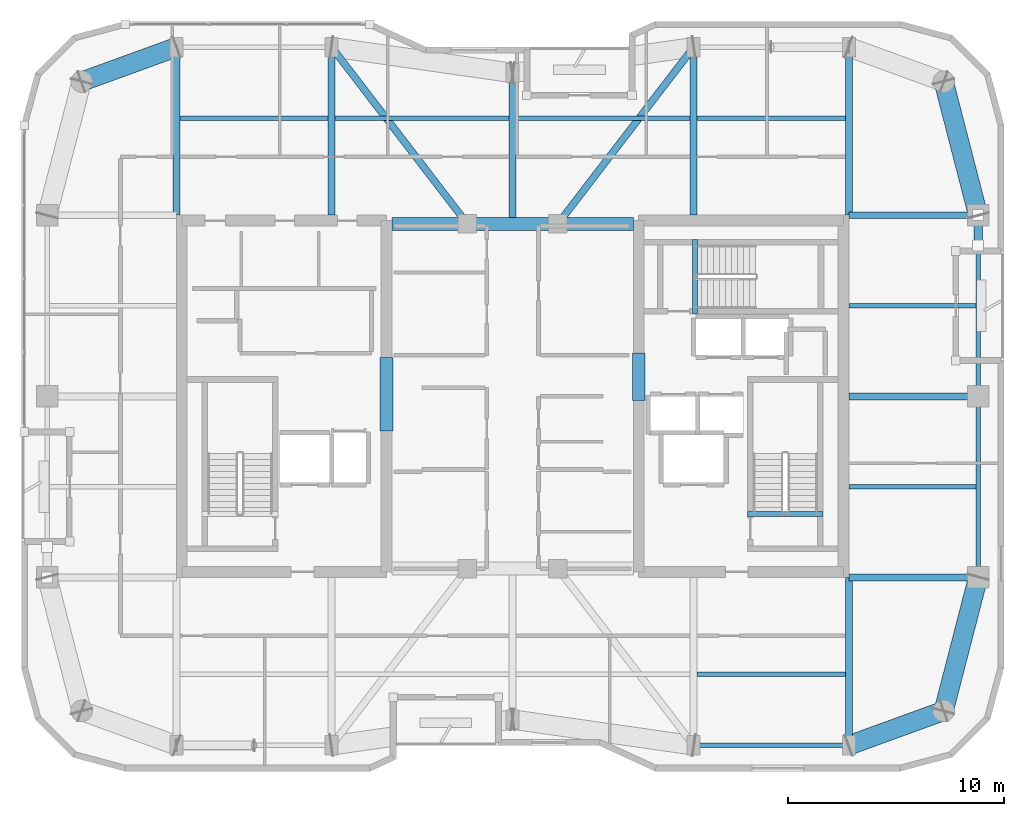
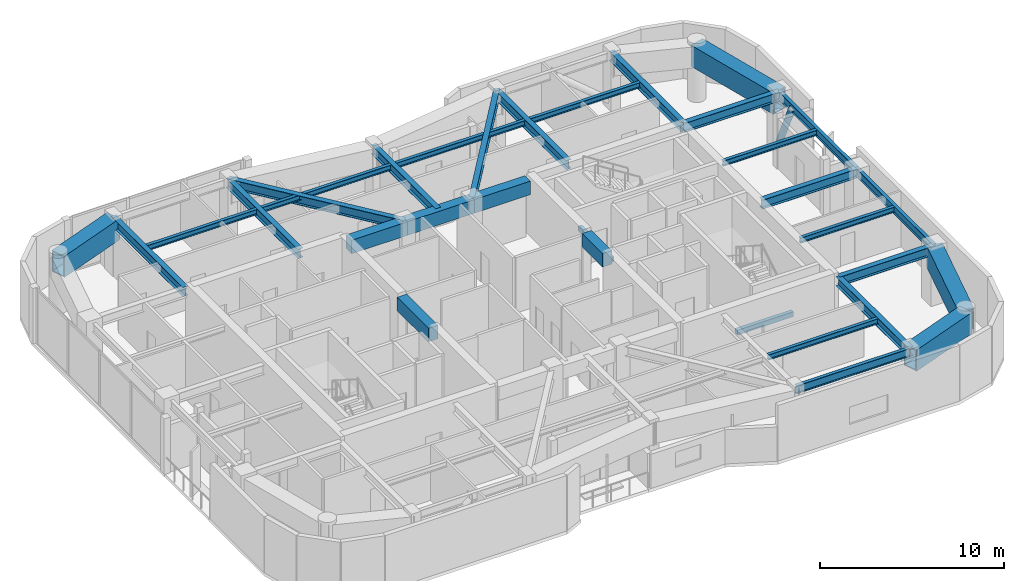
# One storey, part 5 of 15: 32 beams, 1 member.
"""IFC4 building model written with IfcOpenShell, lengths in metres."""

from ifc_helpers import new_model, si_unit, direction, frame, origin, origin_2d, place, context, subcontext, project, spatial, rectangle, hollow_rectangle, hollow_circle, i_section, extrude, material, material_profile, profile_set, type_object, element, save


model = new_model("IFC4")

# Units and contexts
model_context = context("Model", 3, precision=1e-05, world=origin(), true_north=direction((0.0, 1.0)))
body_context = subcontext(model_context, "Body", "Model", "MODEL_VIEW")
ifc_project = project(units=[si_unit("LENGTHUNIT", "METRE"), si_unit("AREAUNIT", "SQUARE_METRE"), si_unit("VOLUMEUNIT", "CUBIC_METRE"), si_unit("PLANEANGLEUNIT", "RADIAN"), si_unit("MASSUNIT", "GRAM", prefix="KILO")], contexts=[model_context])

# Site, building, storey
site_placement = place(None, origin())
site = spatial("IfcSite", under=ifc_project, at=site_placement, CompositionType="ELEMENT")
building_placement = place(site_placement, origin())
building = spatial("IfcBuilding", under=site, at=building_placement, Name="Kiyonajd Concourse Tower", CompositionType="ELEMENT")
storey_placement = place(building_placement, frame((0.0, 0.0, 266.699951171875)))
storey = spatial("IfcBuildingStorey", under=building, at=storey_placement, Name="L67", CompositionType="ELEMENT", Elevation=266.699951171875)

# Beams
ifc_material_1 = material(Name="Concrete C60/75", Category="concrete")
ifc_material_profile_1 = material_profile(ifc_material_1, rectangle(XDim=0.60009765625, YDim=0.89990234375, at=origin_2d()), Name="RCBM-600x900")
ifc_profile_set_1 = profile_set([ifc_material_profile_1], Name="Concrete C60/75")
beam_type_1 = type_object("IfcBeamType", Name="BM-COUP-900", PredefinedType="LINTEL", material=ifc_profile_set_1)
beam_1_placement = place(storey_placement, frame((42.39990234375, 44.0, 3.22998046875), z_axis=(1.0, 0.0, 0.0), x_axis=(0.0, 1.0, 0.0)))
element("IfcBeam", 1, at=beam_1_placement, inside=storey, type_object=beam_type_1, Name="L67 Core Coupling Beam N1", PredefinedType="LINTEL", context=body_context, shape_type="SweptSolid", body=[
    extrude(rectangle(XDim=0.60009765625, YDim=0.89990234375, at=origin_2d()), origin(), (0.0, 0.0, 1.0), 3.5),
])
beam_2_placement = place(storey_placement, frame((45.89990234375, 44.0, 3.22998046875), z_axis=(1.0, 0.0, 0.0), x_axis=(0.0, 1.0, 0.0)))
element("IfcBeam", 2, at=beam_2_placement, inside=storey, type_object=beam_type_1, Name="L67 Core Coupling Beam N2", PredefinedType="LINTEL", context=body_context, shape_type="SweptSolid", body=[
    extrude(rectangle(XDim=0.60009765625, YDim=0.89990234375, at=origin_2d()), origin(), (0.0, 0.0, 1.0), 4.2001953125),
])
beam_3_placement = place(storey_placement, frame((50.10009765625, 44.0, 3.22998046875), z_axis=(1.0, 0.0, 0.0), x_axis=(0.0, 1.0, 0.0)))
element("IfcBeam", 3, at=beam_3_placement, inside=storey, type_object=beam_type_1, Name="L67 Core Coupling Beam N3", PredefinedType="LINTEL", context=body_context, shape_type="SweptSolid", body=[
    extrude(rectangle(XDim=0.60009765625, YDim=0.89990234375, at=origin_2d()), origin(), (0.0, 0.0, 1.0), 3.5),
])
beam_4_placement = place(storey_placement, frame((42.14990234375, 34.39990234375, 3.22998046875), z_axis=(0.0, 1.0, 0.0), x_axis=(-1.0, 0.0, 0.0)))
element("IfcBeam", 4, at=beam_4_placement, inside=storey, type_object=beam_type_1, Name="L67 West Core Throat Coupling Lintel", PredefinedType="LINTEL", context=body_context, shape_type="SweptSolid", body=[
    extrude(rectangle(XDim=0.60009765625, YDim=0.89990234375, at=origin_2d()), origin(), (0.0, 0.0, 1.0), 3.400146484375),
])
beam_5_placement = place(storey_placement, frame((53.85009765625, 35.800048828125, 3.22998046875), z_axis=(0.0, 1.0, 0.0), x_axis=(-1.0, 0.0, 0.0)))
element("IfcBeam", 5, at=beam_5_placement, inside=storey, type_object=beam_type_1, Name="L67 East Core Throat Coupling Lintel", PredefinedType="LINTEL", context=body_context, shape_type="SweptSolid", body=[
    extrude(rectangle(XDim=0.60009765625, YDim=0.89990234375, at=origin_2d()), origin(), (0.0, 0.0, 1.0), 2.199951171875),
])
ifc_material_2 = material(Name="Steel ASTM A992 Grade 50", Category="steel")
ifc_material_profile_2 = material_profile(ifc_material_2, i_section(OverallWidth=0.205078125, OverallDepth=0.35400390625, WebThickness=0.009521484375, FlangeThickness=0.016845703125, at=origin_2d()), Name="W360X79")
ifc_profile_set_2 = profile_set([ifc_material_profile_2], Name="Steel ASTM A992 Grade 50")
beam_type_2 = type_object("IfcBeamType", Name="BM-JST-360", PredefinedType="JOIST", material=ifc_profile_set_2)
for number, where, z_axis, x_axis, name in (
    (6, (56.56201171875, 23.10009765625, 3.5029296875), (1.0, 0.0, 0.0), (0.0, 1.0, 0.0), "L67 Secondary Floor Joist"),
    (7, (32.56201171875, 48.89990234375, 3.5029296875), (1.0, 0.0, 0.0), (0.0, 1.0, 0.0), "L67 Secondary Floor Joist"),
):
    element("IfcBeam", number, at=place(storey_placement, frame(where, z_axis=z_axis, x_axis=x_axis)), inside=storey, type_object=beam_type_2, Name=name, PredefinedType="JOIST", context=body_context, shape_type="SweptSolid", body=[
        extrude(i_section(OverallWidth=0.205078125, OverallDepth=0.35400390625, WebThickness=0.009521484375, FlangeThickness=0.016845703125, at=origin_2d()), origin(), (0.0, 0.0, 1.0), 6.8759765625),
    ])
for number, where, z_axis, x_axis, name in (
    (8, (39.761962890625, 48.89990234375, 3.5029296875), (1.0, 0.0, 0.0), (0.0, 1.0, 0.0), "L67 Secondary Floor Joist"),
    (9, (48.162109375, 48.89990234375, 3.5029296875), (1.0, 0.0, 0.0), (0.0, 1.0, 0.0), "L67 Secondary Floor Joist"),
):
    element("IfcBeam", number, at=place(storey_placement, frame(where, z_axis=z_axis, x_axis=x_axis)), inside=storey, type_object=beam_type_2, Name=name, PredefinedType="JOIST", context=body_context, shape_type="SweptSolid", body=[
        extrude(i_section(OverallWidth=0.205078125, OverallDepth=0.35400390625, WebThickness=0.009521484375, FlangeThickness=0.016845703125, at=origin_2d()), origin(), (0.0, 0.0, 1.0), 8.075927734375),
    ])
beam_6_placement = place(storey_placement, frame((56.56201171875, 48.89990234375, 3.5029296875), z_axis=(1.0, 0.0, 0.0), x_axis=(0.0, 1.0, 0.0)))
element("IfcBeam", 10, at=beam_6_placement, inside=storey, type_object=beam_type_2, Name="L67 Secondary Floor Joist", PredefinedType="JOIST", context=body_context, shape_type="SweptSolid", body=[
    extrude(i_section(OverallWidth=0.205078125, OverallDepth=0.35400390625, WebThickness=0.009521484375, FlangeThickness=0.016845703125, at=origin_2d()), origin(), (0.0, 0.0, 1.0), 6.8759765625),
])
for number, where, z_axis, x_axis, name in (
    (11, (63.60009765625, 31.800048828125, 3.5029296875), (1.0, 0.0, 0.0), (0.0, 1.0, 0.0), "L67 East Secondary Floor Joist"),
    (12, (63.60009765625, 40.199951171875, 3.5029296875), (1.0, 0.0, 0.0), (0.0, 1.0, 0.0), "L67 East Secondary Floor Joist"),
):
    element("IfcBeam", number, at=place(storey_placement, frame(where, z_axis=z_axis, x_axis=x_axis)), inside=storey, type_object=beam_type_2, Name=name, PredefinedType="JOIST", context=body_context, shape_type="SweptSolid", body=[
        extrude(i_section(OverallWidth=0.205078125, OverallDepth=0.35400390625, WebThickness=0.009521484375, FlangeThickness=0.016845703125, at=origin_2d()), origin(), (0.0, 0.0, 1.0), 5.894287109375),
    ])
ifc_material_3 = material(Name="Concrete C50/60", Category="concrete")
ifc_material_profile_3 = material_profile(ifc_material_3, rectangle(XDim=0.239990234375, YDim=0.320068359375, at=origin_2d()), Name="RCBM-240x320")
ifc_profile_set_3 = profile_set([ifc_material_profile_3], Name="Concrete C50/60")
beam_type_3 = type_object("IfcBeamType", Name="BM-LNT-250", PredefinedType="LINTEL", material=ifc_profile_set_3)
beam_7_placement = place(storey_placement, frame((58.889892578125, 30.530029296875, -0.159912109375), z_axis=(1.0, 0.0, 0.0), x_axis=(0.0, 1.0, 0.0)))
element("IfcBeam", 13, at=beam_7_placement, inside=storey, type_object=beam_type_3, Name="L67 Stair ST2 Threshold Support Beam", PredefinedType="LINTEL", context=body_context, shape_type="SweptSolid", body=[
    extrude(rectangle(XDim=0.239990234375, YDim=0.320068359375, at=origin_2d()), origin(), (0.0, 0.0, 1.0), 3.52001953125),
])
beam_8_placement = place(storey_placement, frame((56.4599609375, 39.820068359375, -0.159912109375), z_axis=(0.0, 1.0, 0.0), x_axis=(-1.0, 0.0, 0.0)))
element("IfcBeam", 14, at=beam_8_placement, inside=storey, type_object=beam_type_3, Name="L67 Stair ST3 Threshold Support Beam", PredefinedType="LINTEL", context=body_context, shape_type="SweptSolid", body=[
    extrude(rectangle(XDim=0.239990234375, YDim=0.320068359375, at=origin_2d()), origin(), (0.0, 0.0, 1.0), 3.4599609375),
])
ifc_material_profile_4 = material_profile(ifc_material_2, i_section(OverallWidth=0.2109375, OverallDepth=0.5390625, WebThickness=0.01171875, FlangeThickness=0.018798828125, at=origin_2d()), Name="W530X109")
ifc_profile_set_4 = profile_set([ifc_material_profile_4], Name="Steel ASTM A992 Grade 50")
beam_type_4 = type_object("IfcBeamType", Name="BM-SPAN-530B", PredefinedType="SPANDREL", material=ifc_profile_set_4)
beam_9_placement = place(storey_placement, frame((56.39990234375, 19.800048828125, 3.41064453125), z_axis=(1.0, 0.0, 0.0), x_axis=(0.0, 1.0, 0.0)))
element("IfcBeam", 15, at=beam_9_placement, inside=storey, type_object=beam_type_4, Name="L67 Perimeter Bundled Tube Spandrel", PredefinedType="SPANDREL", context=body_context, shape_type="SweptSolid", body=[
    extrude(i_section(OverallWidth=0.2109375, OverallDepth=0.5390625, WebThickness=0.01171875, FlangeThickness=0.018798828125, at=origin_2d()), origin(), (0.0, 0.0, 1.0), 7.2001953125),
])
for number, where, z_axis, x_axis, name in (
    (16, (69.60009765625, 27.60009765625, 3.41064453125), (0.0, 1.0, 0.0), (-1.0, 0.0, 0.0), "L67 Perimeter Bundled Tube Spandrel"),
    (17, (69.60009765625, 36.0, 3.41064453125), (0.0, 1.0, 0.0), (-1.0, 0.0, 0.0), "L67 Perimeter Bundled Tube Spandrel"),
):
    element("IfcBeam", number, at=place(storey_placement, frame(where, z_axis=z_axis, x_axis=x_axis)), inside=storey, type_object=beam_type_4, Name=name, PredefinedType="SPANDREL", context=body_context, shape_type="SweptSolid", body=[
        extrude(i_section(OverallWidth=0.2109375, OverallDepth=0.5390625, WebThickness=0.01171875, FlangeThickness=0.018798828125, at=origin_2d()), origin(), (0.0, 0.0, 1.0), 8.39990234375),
    ])
ifc_material_profile_5 = material_profile(ifc_material_2, i_section(OverallWidth=0.326904296875, OverallDepth=0.6220703125, WebThickness=0.015380859375, FlangeThickness=0.0244140625, at=origin_2d()), Name="W610X195")
ifc_profile_set_5 = profile_set([ifc_material_profile_5], Name="Steel ASTM A992 Grade 50")
beam_type_5 = type_object("IfcBeamType", Name="BM-TWR-610A", PredefinedType="BEAM", material=ifc_profile_set_5)
for number, where, z_axis, x_axis, name in (
    (18, (39.60009765625, 52.199951171875, 3.369140625), (0.609233709922, -0.792990722956, 0.0), (0.792990722956, 0.609233709922, 0.0), "L67 Core Tie Girder"),
    (19, (50.10009765625, 44.0, 3.369140625), (0.609233709922, 0.792990722956, 0.0), (-0.792990722956, 0.609233709922, 0.0), "L67 Core Tie Girder"),
):
    element("IfcBeam", number, at=place(storey_placement, frame(where, z_axis=z_axis, x_axis=x_axis)), inside=storey, type_object=beam_type_5, Name=name, PredefinedType="BEAM", context=body_context, shape_type="SweptSolid", body=[
        extrude(i_section(OverallWidth=0.326904296875, OverallDepth=0.6220703125, WebThickness=0.015380859375, FlangeThickness=0.0244140625, at=origin_2d()), origin(), (0.0, 0.0, 1.0), 10.340576171875),
    ])
ifc_material_profile_6 = material_profile(ifc_material_2, i_section(OverallWidth=0.323974609375, OverallDepth=0.611083984375, WebThickness=0.0126953125, FlangeThickness=0.01904296875, at=origin_2d()), Name="W610X155")
ifc_profile_set_6 = profile_set([ifc_material_profile_6], Name="Steel ASTM A992 Grade 50")
beam_type_6 = type_object("IfcBeamType", Name="BM-TWR-610B", PredefinedType="BEAM", material=ifc_profile_set_6)
for number, where, z_axis, x_axis, name in (
    (20, (32.39990234375, 44.39990234375, 3.37451171875), (0.0, 1.0, 0.0), (-1.0, 0.0, 0.0), "L67 North Lease Girder"),
    (21, (39.60009765625, 44.39990234375, 3.37451171875), (0.0, 1.0, 0.0), (-1.0, 0.0, 0.0), "L67 North Lease Girder"),
    (22, (56.39990234375, 44.39990234375, 3.37451171875), (0.0, 1.0, 0.0), (-1.0, 0.0, 0.0), "L67 North Lease Girder"),
    (23, (63.60009765625, 19.800048828125, 3.37451171875), (0.0, 1.0, 0.0), (-1.0, 0.0, 0.0), "L67 South Lease Girder"),
    (24, (63.60009765625, 44.39990234375, 3.37451171875), (0.0, 1.0, 0.0), (-1.0, 0.0, 0.0), "L67 North Lease Girder"),
):
    element("IfcBeam", number, at=place(storey_placement, frame(where, z_axis=z_axis, x_axis=x_axis)), inside=storey, type_object=beam_type_6, Name=name, PredefinedType="BEAM", context=body_context, shape_type="SweptSolid", body=[
        extrude(i_section(OverallWidth=0.323974609375, OverallDepth=0.611083984375, WebThickness=0.0126953125, FlangeThickness=0.01904296875, at=origin_2d()), origin(), (0.0, 0.0, 1.0), 7.800048828125),
    ])
beam_10_placement = place(storey_placement, frame((48.0, 44.0, 3.37451171875), z_axis=(0.0, 1.0, 0.0), x_axis=(-1.0, 0.0, 0.0)))
element("IfcBeam", 25, at=beam_10_placement, inside=storey, type_object=beam_type_6, Name="L67 North Ribbon Girder", PredefinedType="BEAM", context=body_context, shape_type="SweptSolid", body=[
    extrude(i_section(OverallWidth=0.323974609375, OverallDepth=0.611083984375, WebThickness=0.0126953125, FlangeThickness=0.01904296875, at=origin_2d()), origin(), (0.0, 0.0, 1.0), 7.0),
])
for number, where, z_axis, x_axis, name in (
    (26, (63.60009765625, 27.60009765625, 3.37451171875), (1.0, 0.0, 0.0), (0.0, 1.0, 0.0), "L67 East Lease Girder"),
    (27, (63.60009765625, 36.0, 3.37451171875), (1.0, 0.0, 0.0), (0.0, 1.0, 0.0), "L67 East Lease Girder"),
    (28, (63.60009765625, 44.39990234375, 3.37451171875), (1.0, 0.0, 0.0), (0.0, 1.0, 0.0), "L67 East Lease Girder"),
):
    element("IfcBeam", number, at=place(storey_placement, frame(where, z_axis=z_axis, x_axis=x_axis)), inside=storey, type_object=beam_type_6, Name=name, PredefinedType="BEAM", context=body_context, shape_type="SweptSolid", body=[
        extrude(i_section(OverallWidth=0.323974609375, OverallDepth=0.611083984375, WebThickness=0.0126953125, FlangeThickness=0.01904296875, at=origin_2d()), origin(), (0.0, 0.0, 1.0), 6.0),
    ])
ifc_material_4 = material(Name="Steel ASTM A572 Grade 50", Category="steel")
ifc_material_profile_7 = material_profile(ifc_material_4, hollow_rectangle(XDim=0.89990234375, YDim=1.39990234375, WallThickness=0.070068359375, at=origin_2d()), Name="BOX-1400x900x70")
ifc_profile_set_7 = profile_set([ifc_material_profile_7], Name="Steel ASTM A572 Grade 50")
beam_type_7 = type_object("IfcBeamType", Name="BM-XFER-1400", PredefinedType="BEAM", material=ifc_profile_set_7)
beam_11_placement = place(storey_placement, frame((63.60009765625, 19.800048828125, 2.97998046875), z_axis=(0.939801036019, 0.341722127901, 0.0), x_axis=(-0.341722127901, 0.939801036019, 0.0)))
element("IfcBeam", 29, at=beam_11_placement, inside=storey, type_object=beam_type_7, Name="L67 Perimeter Bundled Tube Spandrel", PredefinedType="BEAM", context=body_context, shape_type="SweptSolid", body=[
    extrude(hollow_rectangle(XDim=0.89990234375, YDim=1.39990234375, WallThickness=0.070068359375, at=origin_2d()), origin(), (0.0, 0.0, 1.0), 4.681640625),
])
for number, where, z_axis, x_axis, name in (
    (30, (68.0, 21.39990234375, 2.97998046875), (0.249884937687, 0.968275538221, 0.0), (-0.968275538221, 0.249884937687, 0.0), "L67 Perimeter Bundled Tube Spandrel"),
    (31, (69.60009765625, 44.39990234375, 2.97998046875), (-0.249884937687, 0.968275538221, 0.0), (-0.968275538221, -0.249884937687, 0.0), "L67 Perimeter Bundled Tube Spandrel"),
):
    element("IfcBeam", number, at=place(storey_placement, frame(where, z_axis=z_axis, x_axis=x_axis)), inside=storey, type_object=beam_type_7, Name=name, PredefinedType="BEAM", context=body_context, shape_type="SweptSolid", body=[
        extrude(hollow_rectangle(XDim=0.89990234375, YDim=1.39990234375, WallThickness=0.070068359375, at=origin_2d()), origin(), (0.0, 0.0, 1.0), 6.4033203125),
    ])
beam_12_placement = place(storey_placement, frame((32.39990234375, 52.199951171875, 2.97998046875), z_axis=(-0.939801036019, -0.341722127901, 0.0), x_axis=(0.341722127901, -0.939801036019, 0.0)))
element("IfcBeam", 32, at=beam_12_placement, inside=storey, type_object=beam_type_7, Name="L67 Perimeter Bundled Tube Spandrel", PredefinedType="BEAM", context=body_context, shape_type="SweptSolid", body=[
    extrude(hollow_rectangle(XDim=0.89990234375, YDim=1.39990234375, WallThickness=0.070068359375, at=origin_2d()), origin(), (0.0, 0.0, 1.0), 4.681640625),
])

# Member
ifc_material_5 = material(Name="Steel ASTM A500 Grade C", Category="steel")
ifc_material_profile_8 = material_profile(ifc_material_5, hollow_circle(Radius=0.202880859375, WallThickness=0.01904296875, at=origin_2d()), Name="CHS-406x19")
ifc_profile_set_8 = profile_set([ifc_material_profile_8], Name="Steel ASTM A500 Grade C")
member_type = type_object("IfcMemberType", Name="MB-PB-HIGH", PredefinedType="BRACE", material=ifc_profile_set_8)
member_placement = place(storey_placement, frame((69.60009765625, 44.39990234375, 0.300048828125), z_axis=(0.0, -0.419410666774, 0.907796614114), x_axis=(1.0, 0.0, 0.0)))
element("IfcMember", 33, at=member_placement, inside=storey, type_object=member_type, Name="L67 Upper Zone Hollow Tube Brace PBE", PredefinedType="BRACE", context=body_context, shape_type="SweptSolid", body=[
    extrude(hollow_circle(Radius=0.202880859375, WallThickness=0.01904296875, at=origin_2d()), origin(), (0.0, 0.0, 1.0), 3.337890625),
])

save(model, "model.ifc")
